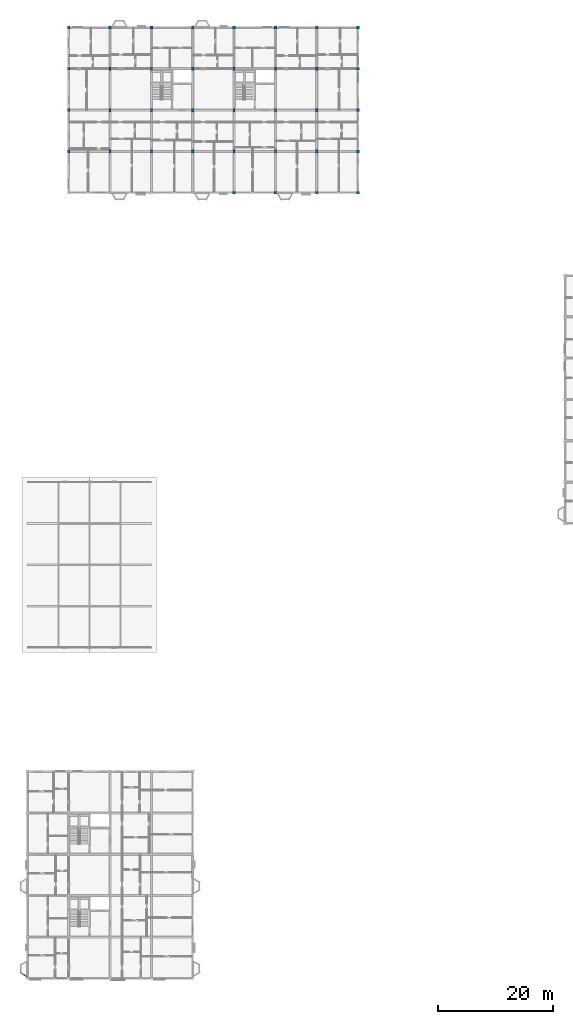
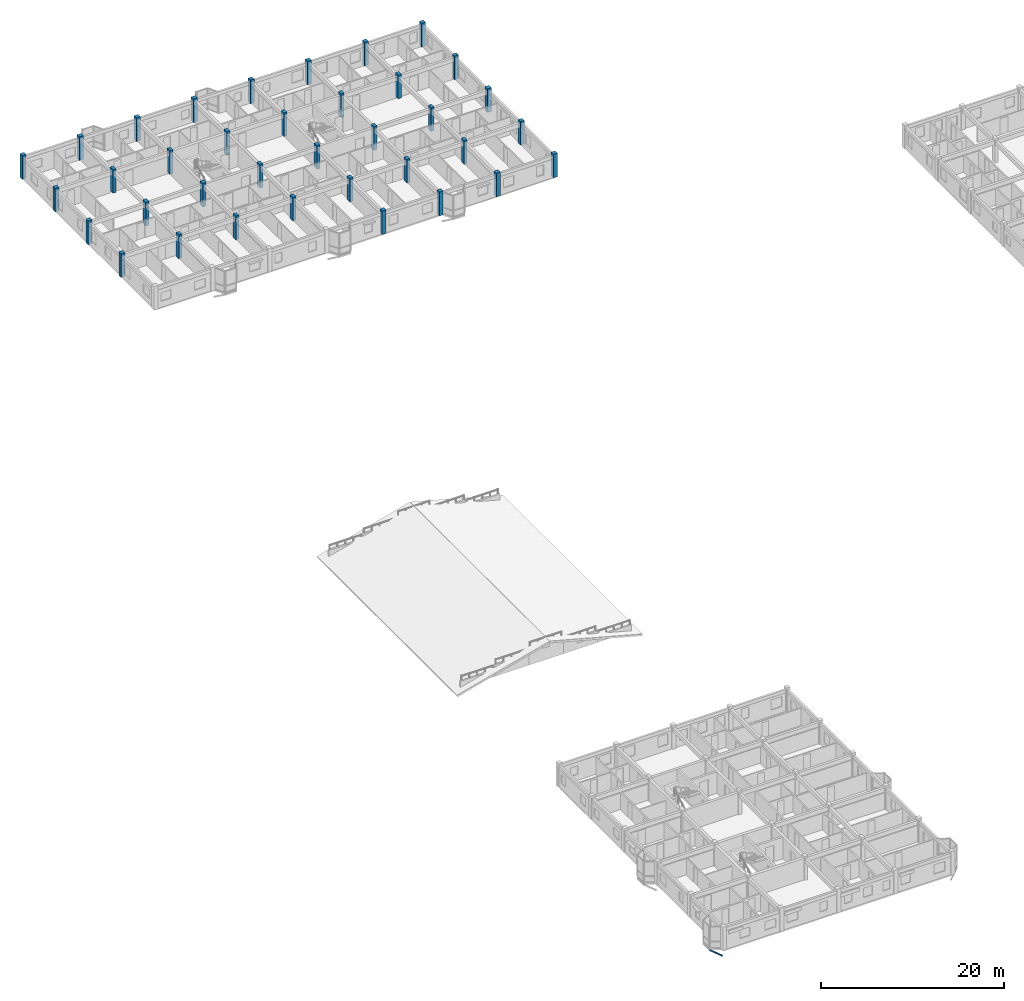
# One storey, part 2 of 65: 36 columns, 1 member.
"""IFC4 building model written with IfcOpenShell, lengths in metres."""

import ifcopenshell
import ifcopenshell.guid

model = None  # the IFC model being written
_history = None  # IfcOwnerHistory: only IFC2X3 demands one
_inside = {}  # id of a spatial element -> (the spatial element, [elements in it])
_under = {}  # id of a project, library or spatial element -> (it, [spatial elements below it])
_declared = {}  # id of a project -> (the project, [libraries it declares])
_typed = {}  # id of a type object -> (the type object, [elements of that type])
_made_of = {}  # id of a material, layer set ... -> (it, [elements and type objects made of it])


def new_model(schema):
    """Start an empty IFC model of exactly this schema.

    Asked for "IFC4X3", IfcOpenShell would pick the latest addendum, in which some entities
    have other attributes; the version numbers below select the first issue.
    IFC2X3 requires an IfcOwnerHistory on every rooted entity: one is made here for all.
    """
    global model, _history
    if schema == "IFC4X3":
        model = ifcopenshell.file(schema_version=(4, 3, 0, 0))
    else:
        model = ifcopenshell.file(schema=schema)
    _inside.clear()
    _under.clear()
    _declared.clear()
    _typed.clear()
    _made_of.clear()
    _history = None
    if model.schema == "IFC2X3":
        org = make("IfcOrganization", Name="unknown")
        user = make(
            "IfcPersonAndOrganization",
            ThePerson=make("IfcPerson", FamilyName="unknown"),
            TheOrganization=org,
        )
        app = make(
            "IfcApplication",
            ApplicationDeveloper=org,
            Version="unknown",
            ApplicationFullName="unknown",
            ApplicationIdentifier="unknown",
        )
        _history = make(
            "IfcOwnerHistory",
            OwningUser=user,
            OwningApplication=app,
            ChangeAction="ADDED",
            CreationDate=0,
        )
    return model


def make(cls, **values):
    """One entity of the class cls with the attributes given. An attribute that is None is left unset."""
    return model.create_entity(
        cls, **{name: value for name, value in values.items() if value is not None}
    )


def rooted(cls, **values):
    """An entity with a GlobalId (a new one), such as an element, a storey or a relation."""
    return make(cls, GlobalId=ifcopenshell.guid.new(), OwnerHistory=_history, **values)


def si_unit(unit_type, name, prefix=None):
    """IfcSIUnit, for example si_unit("LENGTHUNIT", "METRE", prefix="MILLI")."""
    return make("IfcSIUnit", UnitType=unit_type, Prefix=prefix, Name=name)


def assignment(units):
    """IfcUnitAssignment: the units of a project."""
    return None if units is None else make("IfcUnitAssignment", Units=units)


def point(xyz):
    """IfcCartesianPoint."""
    return None if xyz is None else make("IfcCartesianPoint", Coordinates=xyz)


def direction(xyz):
    """IfcDirection."""
    return None if xyz is None else make("IfcDirection", DirectionRatios=xyz)


def frame(location, z_axis=None, x_axis=None):
    """IfcAxis2Placement3D, a coordinate frame: its origin and axes. An axis left out is left unset."""
    return make(
        "IfcAxis2Placement3D",
        Location=point(location),
        Axis=direction(z_axis),
        RefDirection=direction(x_axis),
    )


def frame_2d(location, x_axis=None):
    """IfcAxis2Placement2D, a coordinate frame in the plane: its origin and x axis."""
    return make(
        "IfcAxis2Placement2D", Location=point(location), RefDirection=direction(x_axis)
    )


def origin():
    """The frame at (0, 0, 0) with its axes left unset."""
    return frame((0.0, 0.0, 0.0))


def origin_2d():
    """The frame at (0, 0) in the plane with its x axis left unset."""
    return frame_2d((0.0, 0.0))


def place(relative_to, where):
    """IfcLocalPlacement: puts the frame where relative to a parent placement (None: the world)."""
    return make(
        "IfcLocalPlacement", PlacementRelTo=relative_to, RelativePlacement=where
    )


def context(
    kind, dimensions, precision=None, world=None, true_north=None, identifier=None
):
    """IfcGeometricRepresentationContext, for example the 3D "Model" context."""
    return make(
        "IfcGeometricRepresentationContext",
        ContextIdentifier=identifier,
        ContextType=kind,
        CoordinateSpaceDimension=dimensions,
        Precision=precision,
        WorldCoordinateSystem=world,
        TrueNorth=true_north,
    )


def subcontext(parent, identifier, kind, view, scale=None):
    """IfcGeometricRepresentationSubContext, for example "Body" below "Model"."""
    return make(
        "IfcGeometricRepresentationSubContext",
        ContextIdentifier=identifier,
        ContextType=kind,
        ParentContext=parent,
        TargetScale=scale,
        TargetView=view,
    )


def project(units=None, contexts=None):
    """IfcProject with its units and contexts."""
    return rooted(
        "IfcProject",
        Name="project",
        RepresentationContexts=contexts,
        UnitsInContext=assignment(units),
    )


def spatial(cls, under=None, at=None, **own):
    """A site, building, storey or space (cls), placed at a placement, below another one or the project."""
    s = rooted(cls, ObjectPlacement=at, **own)
    if under is not None:
        _under.setdefault(under.id(), (under, []))[1].append(s)
    return s


def profile(cls, at=None, kind="AREA", **sizes):
    """A parametric profile (cls). Its sizes go by their IFC names, for example OverallWidth=200.0."""
    return make(cls, ProfileType=kind, Position=at, **sizes)


def rectangle(**sizes):
    """IfcRectangleProfileDef."""
    return profile("IfcRectangleProfileDef", **sizes)


def hollow_rectangle(**sizes):
    """IfcRectangleHollowProfileDef."""
    return profile("IfcRectangleHollowProfileDef", **sizes)


def extrude(swept, where, along, depth):
    """IfcExtrudedAreaSolid: the profile swept, set in the frame where, extruded along a direction by depth."""
    return make(
        "IfcExtrudedAreaSolid",
        SweptArea=swept,
        Position=where,
        ExtrudedDirection=direction(along),
        Depth=depth,
    )


def shape(context_of_items, identifier, shape_type, items):
    """IfcShapeRepresentation: the items that make up one representation, for example the "Body"."""
    return make(
        "IfcShapeRepresentation",
        ContextOfItems=context_of_items,
        RepresentationIdentifier=identifier,
        RepresentationType=shape_type,
        Items=items,
    )


def material(Name=None, Category=None):
    """IfcMaterial."""
    return make("IfcMaterial", Name=Name, Category=Category)


def material_profile(
    of_material, cross_section, Name=None, Category=None, Priority=None
):
    """IfcMaterialProfile: a cross section and its material."""
    return make(
        "IfcMaterialProfile",
        Name=Name,
        Material=of_material,
        Profile=cross_section,
        Priority=Priority,
        Category=Category,
    )


def profile_set(profiles, Name=None, composite=None):
    """IfcMaterialProfileSet."""
    return make(
        "IfcMaterialProfileSet",
        Name=Name,
        MaterialProfiles=profiles,
        CompositeProfile=composite,
    )


def made_of(thing, what):
    """Note that an element or type object is made of a material, layer set ...; save() writes the relation."""
    if what is not None:
        _made_of.setdefault(what.id(), (what, []))[1].append(thing)
    return thing


def type_object(cls, material=None, **own):
    """A type object (cls), such as IfcWallType, which elements share."""
    return made_of(rooted(cls, **own), material)


def element(
    cls,
    number,
    at=None,
    inside=None,
    cuts=None,
    type_object=None,
    material=None,
    context=None,
    identifier="Body",
    shape_type=None,
    held_by="IfcProductDefinitionShape",
    body=None,
    shapes=None,
    **own,
):
    """One element of the class cls, such as IfcWall. Its Tag is "e" and its number.

    at: its placement. inside: the storey or other place that contains it. cuts: it is an
    opening in that element (IfcRelVoidsElement). A single representation is given by context,
    identifier, shape_type and body (its items); several are given by shapes. held_by: the class
    of the entity that holds the representations. save() writes the other relations.
    """
    e = rooted(cls, Tag="e%d" % number, ObjectPlacement=at, **own)
    if body is not None:
        shapes = [shape(context, identifier, shape_type, body)]
    if shapes is not None:
        e.Representation = make(held_by, Representations=shapes)
    if inside is not None:
        _inside.setdefault(inside.id(), (inside, []))[1].append(e)
    if cuts is not None:
        rooted(
            "IfcRelVoidsElement", RelatingBuildingElement=cuts, RelatedOpeningElement=e
        )
    if type_object is not None:
        _typed.setdefault(type_object.id(), (type_object, []))[1].append(e)
    return made_of(e, material)


def aggregate(whole, parts):
    """IfcRelAggregates: a whole, such as a stair, and the parts it consists of."""
    return rooted("IfcRelAggregates", RelatingObject=whole, RelatedObjects=parts)


def save(model, path):
    """Write the relations noted so far, then the file.

    IfcRelAggregates (storeys below a building ...), IfcRelContainedInSpatialStructure (elements
    in a storey), IfcRelDefinesByType, IfcRelAssociatesMaterial and IfcRelDeclares: one each for
    every whole, place, type object, material and project.
    """
    for whole, parts in _under.values():
        aggregate(whole, parts)
    for where, things in _inside.values():
        rooted(
            "IfcRelContainedInSpatialStructure",
            RelatedElements=things,
            RelatingStructure=where,
        )
    for kind, things in _typed.values():
        rooted("IfcRelDefinesByType", RelatedObjects=things, RelatingType=kind)
    for what, things in _made_of.values():
        rooted("IfcRelAssociatesMaterial", RelatedObjects=things, RelatingMaterial=what)
    for by, libraries in _declared.values():
        rooted("IfcRelDeclares", RelatingContext=by, RelatedDefinitions=libraries)
    model.write(path)


model = new_model("IFC4")

# Units and contexts
model_context = context("Model", 3, precision=1e-05, world=origin(), true_north=direction((0.0, 1.0)))
body_context = subcontext(model_context, "Body", "Model", "MODEL_VIEW")
ifc_project = project(units=[si_unit("LENGTHUNIT", "METRE"), si_unit("AREAUNIT", "SQUARE_METRE"), si_unit("VOLUMEUNIT", "CUBIC_METRE"), si_unit("PLANEANGLEUNIT", "RADIAN"), si_unit("MASSUNIT", "GRAM", prefix="KILO"), si_unit("THERMODYNAMICTEMPERATUREUNIT", "KELVIN"), si_unit("POWERUNIT", "WATT")], contexts=[model_context])

# Site, building, storey
site_placement = place(None, origin())
site = spatial("IfcSite", under=ifc_project, at=site_placement, CompositionType="ELEMENT")
building_placement = place(site_placement, origin())
building = spatial("IfcBuilding", under=site, at=building_placement, Name="Tavuni Mirador Residences", CompositionType="ELEMENT")
storey_placement = place(building_placement, frame((0.0, 0.0, 29.699951171875)))
storey = spatial("IfcBuildingStorey", under=building, at=storey_placement, Name="L09", CompositionType="ELEMENT", Elevation=29.699951171875)

# Columns
ifc_material_1 = material(Name="Precast concrete C40/50", Category="concrete")
ifc_material_profile_1 = material_profile(ifc_material_1, rectangle(XDim=0.39990234375, YDim=0.60009765625, at=origin_2d()), Name="RC 400x600", Category="concrete")
ifc_profile_set_1 = profile_set([ifc_material_profile_1], Name="Precast concrete C40/50")
column_type_1 = type_object("IfcColumnType", Name="CT-RC400X600", PredefinedType="COLUMN", material=ifc_profile_set_1)
for number, where, z_axis, x_axis, name in (
    (1, (18.0, 151.199951171875, 0.0), (0.0, 0.0, 1.0), (1.0, 0.0, 0.0), "COL-BLK-C-L09-01-01"),
    (2, (18.0, 158.39990234375, 0.0), (0.0, 0.0, 1.0), (1.0, 0.0, 0.0), "COL-BLK-C-L09-01-02"),
    (3, (18.0, 165.60009765625, 0.0), (0.0, 0.0, 1.0), (1.0, 0.0, 0.0), "COL-BLK-C-L09-01-03"),
    (4, (25.199951171875, 151.199951171875, 0.0), (0.0, 0.0, 1.0), (1.0, 0.0, 0.0), "COL-BLK-C-L09-02-01"),
    (5, (25.199951171875, 158.39990234375, 0.0), (0.0, 0.0, 1.0), (1.0, 0.0, 0.0), "COL-BLK-C-L09-02-02"),
    (6, (25.199951171875, 165.60009765625, 0.0), (0.0, 0.0, 1.0), (1.0, 0.0, 0.0), "COL-BLK-C-L09-02-03"),
    (7, (32.39990234375, 151.199951171875, 0.0), (0.0, 0.0, 1.0), (1.0, 0.0, 0.0), "COL-BLK-C-L09-03-01"),
    (8, (32.39990234375, 158.39990234375, 0.0), (0.0, 0.0, 1.0), (1.0, 0.0, 0.0), "COL-BLK-C-L09-03-02"),
    (9, (32.39990234375, 165.60009765625, 0.0), (0.0, 0.0, 1.0), (1.0, 0.0, 0.0), "COL-BLK-C-L09-03-03"),
    (10, (39.60009765625, 151.199951171875, 0.0), (0.0, 0.0, 1.0), (1.0, 0.0, 0.0), "COL-BLK-C-L09-04-01"),
    (11, (39.60009765625, 158.39990234375, 0.0), (0.0, 0.0, 1.0), (1.0, 0.0, 0.0), "COL-BLK-C-L09-04-02"),
    (12, (39.60009765625, 165.60009765625, 0.0), (0.0, 0.0, 1.0), (1.0, 0.0, 0.0), "COL-BLK-C-L09-04-03"),
    (13, (46.800048828125, 151.199951171875, 0.0), (0.0, 0.0, 1.0), (1.0, 0.0, 0.0), "COL-BLK-C-L09-05-01"),
    (14, (46.800048828125, 158.39990234375, 0.0), (0.0, 0.0, 1.0), (1.0, 0.0, 0.0), "COL-BLK-C-L09-05-02"),
    (15, (46.800048828125, 165.60009765625, 0.0), (0.0, 0.0, 1.0), (1.0, 0.0, 0.0), "COL-BLK-C-L09-05-03"),
    (16, (54.0, 151.199951171875, 0.0), (0.0, 0.0, 1.0), (1.0, 0.0, 0.0), "COL-BLK-C-L09-06-01"),
    (17, (54.0, 158.39990234375, 0.0), (0.0, 0.0, 1.0), (1.0, 0.0, 0.0), "COL-BLK-C-L09-06-02"),
    (18, (54.0, 165.60009765625, 0.0), (0.0, 0.0, 1.0), (1.0, 0.0, 0.0), "COL-BLK-C-L09-06-03"),
):
    element("IfcColumn", number, at=place(storey_placement, frame(where, z_axis=z_axis, x_axis=x_axis)), inside=storey, type_object=column_type_1, Name=name, PredefinedType="COLUMN", context=body_context, shape_type="SweptSolid", body=[
        extrude(rectangle(XDim=0.39990234375, YDim=0.60009765625, at=origin_2d()), origin(), (0.0, 0.0, 1.0), 3.150146484375),
    ])
ifc_material_profile_2 = material_profile(ifc_material_1, rectangle(XDim=0.5, YDim=0.5, at=origin_2d()), Name="RC 500x500", Category="concrete")
ifc_profile_set_2 = profile_set([ifc_material_profile_2], Name="Precast concrete C40/50")
column_type_2 = type_object("IfcColumnType", Name="CT-RC500", PredefinedType="COLUMN", material=ifc_profile_set_2)
for number, where, z_axis, x_axis, name in (
    (19, (10.800048828125, 151.199951171875, 0.0), (0.0, 0.0, 1.0), (1.0, 0.0, 0.0), "COL-BLK-C-L09-00-01"),
    (20, (10.800048828125, 158.39990234375, 0.0), (0.0, 0.0, 1.0), (1.0, 0.0, 0.0), "COL-BLK-C-L09-00-02"),
    (21, (10.800048828125, 165.60009765625, 0.0), (0.0, 0.0, 1.0), (1.0, 0.0, 0.0), "COL-BLK-C-L09-00-03"),
    (22, (10.800048828125, 172.800048828125, 0.0), (0.0, 0.0, 1.0), (1.0, 0.0, 0.0), "COL-BLK-C-L09-00-04"),
    (23, (18.0, 172.800048828125, 0.0), (0.0, 0.0, 1.0), (1.0, 0.0, 0.0), "COL-BLK-C-L09-01-04"),
    (24, (25.199951171875, 172.800048828125, 0.0), (0.0, 0.0, 1.0), (1.0, 0.0, 0.0), "COL-BLK-C-L09-02-04"),
    (25, (32.39990234375, 172.800048828125, 0.0), (0.0, 0.0, 1.0), (1.0, 0.0, 0.0), "COL-BLK-C-L09-03-04"),
    (26, (39.60009765625, 144.0, 0.0), (0.0, 0.0, 1.0), (1.0, 0.0, 0.0), "COL-BLK-C-L09-04-00"),
    (27, (39.60009765625, 172.800048828125, 0.0), (0.0, 0.0, 1.0), (1.0, 0.0, 0.0), "COL-BLK-C-L09-04-04"),
    (28, (46.800048828125, 144.0, 0.0), (0.0, 0.0, 1.0), (1.0, 0.0, 0.0), "COL-BLK-C-L09-05-00"),
    (29, (46.800048828125, 172.800048828125, 0.0), (0.0, 0.0, 1.0), (1.0, 0.0, 0.0), "COL-BLK-C-L09-05-04"),
    (30, (54.0, 144.0, 0.0), (0.0, 0.0, 1.0), (1.0, 0.0, 0.0), "COL-BLK-C-L09-06-00"),
    (31, (54.0, 172.800048828125, 0.0), (0.0, 0.0, 1.0), (1.0, 0.0, 0.0), "COL-BLK-C-L09-06-04"),
    (32, (61.199951171875, 144.0, 0.0), (0.0, 0.0, 1.0), (1.0, 0.0, 0.0), "COL-BLK-C-L09-07-00"),
    (33, (61.199951171875, 151.199951171875, 0.0), (0.0, 0.0, 1.0), (1.0, 0.0, 0.0), "COL-BLK-C-L09-07-01"),
    (34, (61.199951171875, 158.39990234375, 0.0), (0.0, 0.0, 1.0), (1.0, 0.0, 0.0), "COL-BLK-C-L09-07-02"),
    (35, (61.199951171875, 165.60009765625, 0.0), (0.0, 0.0, 1.0), (1.0, 0.0, 0.0), "COL-BLK-C-L09-07-03"),
    (36, (61.199951171875, 172.800048828125, 0.0), (0.0, 0.0, 1.0), (1.0, 0.0, 0.0), "COL-BLK-C-L09-07-04"),
):
    element("IfcColumn", number, at=place(storey_placement, frame(where, z_axis=z_axis, x_axis=x_axis)), inside=storey, type_object=column_type_2, Name=name, PredefinedType="COLUMN", context=body_context, shape_type="SweptSolid", body=[
        extrude(rectangle(XDim=0.5, YDim=0.5, at=origin_2d()), origin(), (0.0, 0.0, 1.0), 3.150146484375),
    ])

# Member
ifc_material_2 = material(Name="Structural steel S355", Category="steel")
ifc_material_profile_3 = material_profile(ifc_material_2, hollow_rectangle(XDim=0.10009765625, YDim=0.179931640625, WallThickness=0.008056640625, at=origin_2d()), Name="RHS 180x100x8.0", Category="steel")
ifc_profile_set_3 = profile_set([ifc_material_profile_3], Name="Structural steel S355")
member_type = type_object("IfcMemberType", Name="MT-BR-RHS180", PredefinedType="BRACE", material=ifc_profile_set_3)
member_placement = place(storey_placement, frame((3.60009765625, 7.449951171875, -1.050048828125), z_axis=(-0.753448798133, 0.445693471312, 0.48339656414), x_axis=(-0.50913035723, -0.860689420957, 0.0)))
element("IfcMember", 37, at=member_placement, inside=storey, type_object=member_type, Name="MBRK-MIR-A-W1-L09-1", PredefinedType="BRACE", context=body_context, shape_type="SweptSolid", body=[
    extrude(hollow_rectangle(XDim=0.10009765625, YDim=0.179931640625, WallThickness=0.008056640625, at=origin_2d()), origin(), (0.0, 0.0, 1.0), 1.593017578125),
])

save(model, "model.ifc")
